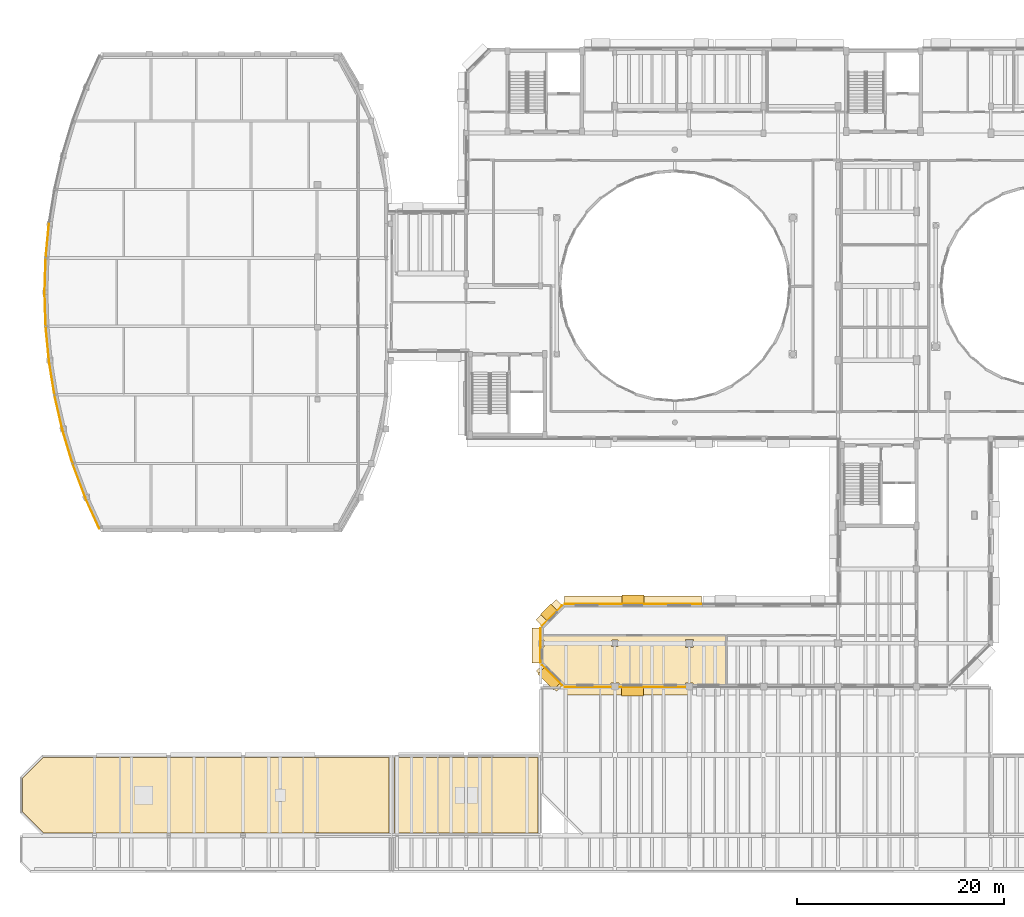
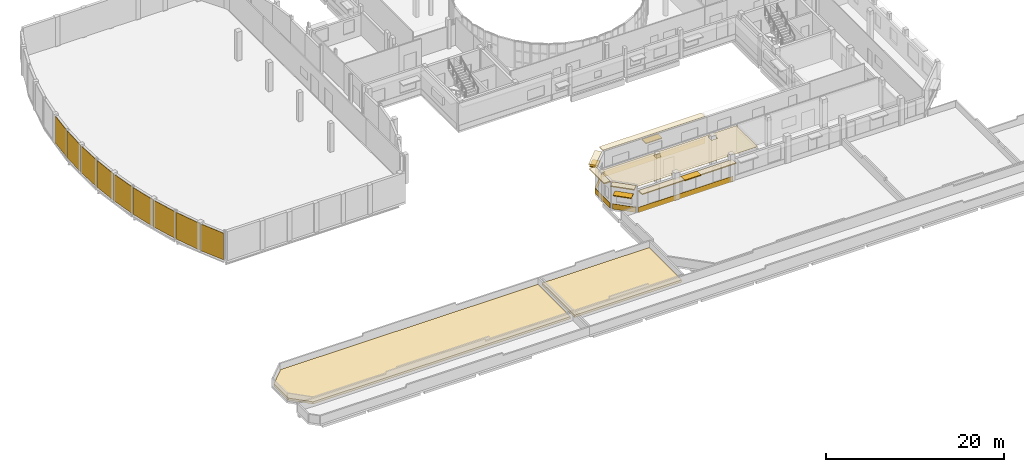
# One storey, part 89 of 105: 22 coverings, 4 shading devices.
"""IFC4 building model written with IfcOpenShell, lengths in metres."""

from ifc_helpers import new_model, si_unit, direction, frame, origin, origin_2d, place, context, subcontext, project, spatial, polyline, rectangle, outline, extrude, material, layer, layer_set, type_object, element, save


model = new_model("IFC4")

# Units and contexts
model_context = context("Model", 3, precision=1e-05, world=origin(), true_north=direction((0.0, 1.0)))
body_context = subcontext(model_context, "Body", "Model", "MODEL_VIEW")
ifc_project = project(units=[si_unit("LENGTHUNIT", "METRE"), si_unit("AREAUNIT", "SQUARE_METRE"), si_unit("VOLUMEUNIT", "CUBIC_METRE"), si_unit("PLANEANGLEUNIT", "RADIAN"), si_unit("MASSUNIT", "GRAM", prefix="KILO")], contexts=[model_context])

# Site, building, storey
site_placement = place(None, origin())
site = spatial("IfcSite", under=ifc_project, at=site_placement, CompositionType="ELEMENT")
building_placement = place(site_placement, origin())
building = spatial("IfcBuilding", under=site, at=building_placement, Name="Kelanivale Promenade Academy", CompositionType="ELEMENT")
storey_placement = place(building_placement, frame((0.0, 0.0, 4.199951171875)))
storey = spatial("IfcBuildingStorey", under=building, at=storey_placement, Name="L01", CompositionType="ELEMENT", Elevation=4.199951171875)

# Coverings
ifc_material_1 = material(Name="Sri Lankan terracotta fluted rainscreen cladding 45 mm", Category="masonry")
ifc_layer_1 = layer(ifc_material_1, 0.044921875)
ifc_layer_set_1 = layer_set([ifc_layer_1], Name="Sri Lankan terracotta fluted rainscreen cladding 45 mm")
covering_type_1 = type_object("IfcCoveringType", Name="COV-CLD1 Sri Lankan terracotta fluted rainscr", PredefinedType="CLADDING", material=ifc_layer_set_1)
covering_1_placement = place(storey_placement, frame((7.02001953125, 34.76904296875, 0.03955078125), z_axis=(0.0, 0.0, 1.0), x_axis=(0.414375580993, -0.910105970685, 0.0)))
element("IfcCovering", 1, at=covering_1_placement, inside=storey, type_object=covering_type_1, Name="Sports Hall Crescent Pavilion fluted terracotta cladding panel", PredefinedType="CLADDING", context=body_context, shape_type="SweptSolid", body=[
    extrude(rectangle(XDim=3.160888671875, YDim=0.044921875, at=origin_2d()), origin(), (0.0, 0.0, 1.0), 3.6650390625),
])
covering_2_placement = place(storey_placement, frame((5.722900390625, 37.912109375, 0.03955078125), z_axis=(0.0, 0.0, 1.0), x_axis=(0.350861216412, -0.936427470132, 0.0)))
element("IfcCovering", 2, at=covering_2_placement, inside=storey, type_object=covering_type_1, Name="Sports Hall Crescent Pavilion fluted terracotta cladding panel", PredefinedType="CLADDING", context=body_context, shape_type="SweptSolid", body=[
    extrude(rectangle(XDim=3.4599609375, YDim=0.044921875, at=origin_2d()), origin(), (0.0, 0.0, 1.0), 3.6650390625),
])
covering_3_placement = place(storey_placement, frame((4.60205078125, 41.237060546875, 0.03955078125), z_axis=(0.0, 0.0, 1.0), x_axis=(0.287026159226, -0.957922744234, 0.0)))
element("IfcCovering", 3, at=covering_3_placement, inside=storey, type_object=covering_type_1, Name="Sports Hall Crescent Pavilion fluted terracotta cladding panel", PredefinedType="CLADDING", context=body_context, shape_type="SweptSolid", body=[
    extrude(rectangle(XDim=3.3798828125, YDim=0.044921875, at=origin_2d()), origin(), (0.0, 0.0, 1.0), 3.6650390625),
])
covering_4_placement = place(storey_placement, frame((3.722900390625, 44.56201171875, 0.03955078125), z_axis=(0.0, 0.0, 1.0), x_axis=(0.223250116011, -0.974761194191, 0.0)))
element("IfcCovering", 4, at=covering_4_placement, inside=storey, type_object=covering_type_1, Name="Sports Hall Crescent Pavilion fluted terracotta cladding panel", PredefinedType="CLADDING", context=body_context, shape_type="SweptSolid", body=[
    extrude(rectangle(XDim=3.320068359375, YDim=0.044921875, at=origin_2d()), origin(), (0.0, 0.0, 1.0), 3.6650390625),
])
covering_5_placement = place(storey_placement, frame((3.073974609375, 47.886962890625, 0.03955078125), z_axis=(0.0, 0.0, 1.0), x_axis=(0.15936430246, -0.987219843349, 0.0)))
element("IfcCovering", 5, at=covering_5_placement, inside=storey, type_object=covering_type_1, Name="Sports Hall Crescent Pavilion fluted terracotta cladding panel", PredefinedType="CLADDING", context=body_context, shape_type="SweptSolid", body=[
    extrude(rectangle(XDim=3.277099609375, YDim=0.044921875, at=origin_2d()), origin(), (0.0, 0.0, 1.0), 3.6650390625),
])
covering_6_placement = place(storey_placement, frame((2.64599609375, 51.2119140625, 0.03955078125), z_axis=(0.0, 0.0, 1.0), x_axis=(0.095498287868, -0.995429594203, 0.0)))
element("IfcCovering", 6, at=covering_6_placement, inside=storey, type_object=covering_type_1, Name="Sports Hall Crescent Pavilion fluted terracotta cladding panel", PredefinedType="CLADDING", context=body_context, shape_type="SweptSolid", body=[
    extrude(rectangle(XDim=3.25, YDim=0.044921875, at=origin_2d()), origin(), (0.0, 0.0, 1.0), 3.6650390625),
])
for number, where, z_axis, x_axis, name in (
    (7, (2.43310546875, 54.5380859375, 0.03955078125), (0.0, 0.0, 1.0), (0.03193409516, -0.999489976721, 0.0), "Sports Hall Crescent Pavilion fluted terracotta cladding panel"),
    (8, (2.43310546875, 57.862060546875, 0.03955078125), (0.0, 0.0, 1.0), (-0.03193409516, -0.999489976721, 0.0), "Sports Hall Crescent Pavilion fluted terracotta cladding panel"),
):
    element("IfcCovering", number, at=place(storey_placement, frame(where, z_axis=z_axis, x_axis=x_axis)), inside=storey, type_object=covering_type_1, Name=name, PredefinedType="CLADDING", context=body_context, shape_type="SweptSolid", body=[
        extrude(rectangle(XDim=3.236083984375, YDim=0.044921875, at=origin_2d()), origin(), (0.0, 0.0, 1.0), 3.6650390625),
    ])
covering_7_placement = place(storey_placement, frame((2.64599609375, 61.18798828125, 0.03955078125), z_axis=(0.0, 0.0, 1.0), x_axis=(-0.095498287868, -0.995429594203, 0.0)))
element("IfcCovering", 9, at=covering_7_placement, inside=storey, type_object=covering_type_1, Name="Sports Hall Crescent Pavilion fluted terracotta cladding panel", PredefinedType="CLADDING", context=body_context, shape_type="SweptSolid", body=[
    extrude(rectangle(XDim=3.25, YDim=0.044921875, at=origin_2d()), origin(), (0.0, 0.0, 1.0), 3.6650390625),
])
ifc_material_2 = material(Name="Warm ivory Art Deco stucco frieze band 40 mm", Category="masonry")
ifc_layer_2 = layer(ifc_material_2, 0.0400390625)
ifc_layer_set_2 = layer_set([ifc_layer_2], Name="Warm ivory Art Deco stucco frieze band 40 mm")
covering_type_2 = type_object("IfcCoveringType", Name="COV-CLD2 Warm ivory Art Deco stucco frieze ba", PredefinedType="CLADDING", material=ifc_layer_set_2)
covering_8_placement = place(storey_placement, frame((51.237060546875, 18.8369140625, 3.6201171875), z_axis=(0.0, 0.0, 1.0), x_axis=(0.707106781187, -0.707106781187, 0.0)))
element("IfcCovering", 10, at=covering_8_placement, inside=storey, type_object=covering_type_2, Name="Art Deco projecting 820 mm streamline sunshade eyebrow ledge", PredefinedType="CLADDING", context=body_context, shape_type="SweptSolid", body=[
    extrude(rectangle(XDim=2.76708984375, YDim=0.820068359375, at=origin_2d()), origin(), (0.0, 0.0, 1.0), 0.139892578125),
])
covering_9_placement = place(storey_placement, frame((51.509033203125, 19.10888671875, 0.06005859375), z_axis=(0.0, 0.0, 1.0), x_axis=(0.707106781187, -0.707106781187, 0.0)))
element("IfcCovering", 11, at=covering_9_placement, inside=storey, type_object=covering_type_2, Name="Art Deco ivory stucco sill frieze band", PredefinedType="CLADDING", context=body_context, shape_type="SweptSolid", body=[
    extrude(rectangle(XDim=2.76708984375, YDim=0.0400390625, at=origin_2d()), origin(), (0.0, 0.0, 1.0), 0.719970703125),
])
covering_10_placement = place(storey_placement, frame((58.843994140625, 17.60009765625, 2.9501953125), z_axis=(0.0, 0.0, 1.0), x_axis=(1.0, 0.0, 0.0)))
element("IfcCovering", 12, at=covering_10_placement, inside=storey, type_object=covering_type_2, Name="Art Deco projecting 820 mm streamline sunshade eyebrow ledge", PredefinedType="CLADDING", context=body_context, shape_type="SweptSolid", body=[
    extrude(rectangle(XDim=12.243896484375, YDim=0.820068359375, at=origin_2d()), origin(), (0.0, 0.0, 1.0), 0.139892578125),
])
covering_11_placement = place(storey_placement, frame((58.843994140625, 17.985107421875, 0.06005859375), z_axis=(0.0, 0.0, 1.0), x_axis=(1.0, 0.0, 0.0)))
element("IfcCovering", 13, at=covering_11_placement, inside=storey, type_object=covering_type_2, Name="Art Deco ivory stucco sill frieze band", PredefinedType="CLADDING", context=body_context, shape_type="SweptSolid", body=[
    extrude(rectangle(XDim=12.243896484375, YDim=0.0400390625, at=origin_2d()), origin(), (0.0, 0.0, 1.0), 0.719970703125),
])
covering_12_placement = place(storey_placement, frame((59.35205078125, 26.39990234375, 3.6201171875), z_axis=(0.0, 0.0, 1.0), x_axis=(-1.0, 0.0, 0.0)))
element("IfcCovering", 14, at=covering_12_placement, inside=storey, type_object=covering_type_2, Name="Art Deco projecting 820 mm streamline sunshade eyebrow ledge", PredefinedType="CLADDING", context=body_context, shape_type="SweptSolid", body=[
    extrude(rectangle(XDim=13.259033203125, YDim=0.820068359375, at=origin_2d()), origin(), (0.0, 0.0, 1.0), 0.139892578125),
])
covering_13_placement = place(storey_placement, frame((59.35205078125, 26.014892578125, 0.06005859375), z_axis=(0.0, 0.0, 1.0), x_axis=(-1.0, 0.0, 0.0)))
element("IfcCovering", 15, at=covering_13_placement, inside=storey, type_object=covering_type_2, Name="Art Deco ivory stucco sill frieze band", PredefinedType="CLADDING", context=body_context, shape_type="SweptSolid", body=[
    extrude(rectangle(XDim=13.259033203125, YDim=0.0400390625, at=origin_2d()), origin(), (0.0, 0.0, 1.0), 0.719970703125),
])
covering_14_placement = place(storey_placement, frame((51.237060546875, 25.1630859375, 3.6201171875), z_axis=(0.0, 0.0, 1.0), x_axis=(-0.707106781187, -0.707106781187, 0.0)))
element("IfcCovering", 16, at=covering_14_placement, inside=storey, type_object=covering_type_2, Name="Art Deco projecting 820 mm streamline sunshade eyebrow ledge", PredefinedType="CLADDING", context=body_context, shape_type="SweptSolid", body=[
    extrude(rectangle(XDim=2.76708984375, YDim=0.820068359375, at=origin_2d()), origin(), (0.0, 0.0, 1.0), 0.139892578125),
])
covering_15_placement = place(storey_placement, frame((51.509033203125, 24.89111328125, 0.06005859375), z_axis=(0.0, 0.0, 1.0), x_axis=(-0.707106781187, -0.707106781187, 0.0)))
element("IfcCovering", 17, at=covering_15_placement, inside=storey, type_object=covering_type_2, Name="Art Deco ivory stucco sill frieze band", PredefinedType="CLADDING", context=body_context, shape_type="SweptSolid", body=[
    extrude(rectangle(XDim=2.76708984375, YDim=0.0400390625, at=origin_2d()), origin(), (0.0, 0.0, 1.0), 0.719970703125),
])
covering_16_placement = place(storey_placement, frame((50.0, 22.0, 3.6201171875), z_axis=(0.0, 0.0, 1.0), x_axis=(0.0, -1.0, 0.0)))
element("IfcCovering", 18, at=covering_16_placement, inside=storey, type_object=covering_type_2, Name="Art Deco projecting 820 mm streamline sunshade eyebrow ledge", PredefinedType="CLADDING", context=body_context, shape_type="SweptSolid", body=[
    extrude(rectangle(XDim=3.35595703125, YDim=0.820068359375, at=origin_2d()), origin(), (0.0, 0.0, 1.0), 0.139892578125),
])
covering_17_placement = place(storey_placement, frame((50.385009765625, 22.0, 0.06005859375), z_axis=(0.0, 0.0, 1.0), x_axis=(0.0, -1.0, 0.0)))
element("IfcCovering", 19, at=covering_17_placement, inside=storey, type_object=covering_type_2, Name="Art Deco ivory stucco sill frieze band", PredefinedType="CLADDING", context=body_context, shape_type="SweptSolid", body=[
    extrude(rectangle(XDim=3.35595703125, YDim=0.0400390625, at=origin_2d()), origin(), (0.0, 0.0, 1.0), 0.719970703125),
])
ifc_material_3 = material(Name="Acoustic mineral-fibre ceiling tile 25 mm", Category="gypsum")
ifc_layer_3 = layer(ifc_material_3, 0.02490234375)
ifc_layer_set_3 = layer_set([ifc_layer_3], Name="Acoustic mineral-fibre ceiling tile 25 mm")
covering_type_3 = type_object("IfcCoveringType", Name="COV-CLG1 Acoustic mineral-fibre ceiling tile ", PredefinedType="CEILING", material=ifc_layer_set_3)
covering_18_placement = place(storey_placement, frame((0.0, 0.0, 3.550048828125)))
element("IfcCovering", 20, at=covering_18_placement, inside=storey, type_object=covering_type_3, Name="Culinary Teaching Studio acoustic suspended ceiling", PredefinedType="CEILING", context=body_context, shape_type="SweptSolid", body=[
    extrude(outline(polyline([(50.550048828125, 22.889892578125), (50.550048828125, 22.56005859375), (50.669921875, 22.56005859375), (50.674072265625, 22.56005859375), (50.677978515625, 22.55908203125), (50.681884765625, 22.55810546875), (50.68505859375, 22.556884765625), (50.68896484375, 22.554931640625), (50.69189453125, 22.552978515625), (50.695068359375, 22.551025390625), (50.697998046875, 22.548095703125), (50.700927734375, 22.544921875), (50.702880859375, 22.5419921875), (50.705078125, 22.5390625), (50.70703125, 22.534912109375), (50.7080078125, 22.531982421875), (50.708984375, 22.528076171875), (50.7099609375, 22.52392578125), (50.7099609375, 22.52001953125), (50.7099609375, 21.8798828125), (50.7099609375, 21.8759765625), (50.708984375, 21.8720703125), (50.7080078125, 21.867919921875), (50.70703125, 21.864990234375), (50.705078125, 21.861083984375), (50.702880859375, 21.85791015625), (50.700927734375, 21.85498046875), (50.697998046875, 21.85205078125), (50.695068359375, 21.84912109375), (50.69189453125, 21.846923828125), (50.68896484375, 21.844970703125), (50.68505859375, 21.843017578125), (50.681884765625, 21.842041015625), (50.677978515625, 21.841064453125), (50.674072265625, 21.840087890625), (50.669921875, 21.840087890625), (50.550048828125, 21.840087890625), (50.550048828125, 20.302001953125), (52.701904296875, 18.14990234375), (57.215087890625, 18.14990234375), (57.215087890625, 18.344970703125), (57.215087890625, 18.34912109375), (57.216064453125, 18.35302734375), (57.217041015625, 18.35693359375), (57.218017578125, 18.360107421875), (57.219970703125, 18.364013671875), (57.221923828125, 18.366943359375), (57.22412109375, 18.3701171875), (57.22705078125, 18.373046875), (57.22998046875, 18.3759765625), (57.23291015625, 18.3779296875), (57.236083984375, 18.3798828125), (57.239990234375, 18.382080078125), (57.242919921875, 18.383056640625), (57.2470703125, 18.384033203125), (57.2509765625, 18.385009765625), (57.2548828125, 18.385009765625), (57.945068359375, 18.385009765625), (57.948974609375, 18.385009765625), (57.952880859375, 18.384033203125), (57.95703125, 18.383056640625), (57.9599609375, 18.382080078125), (57.964111328125, 18.3798828125), (57.967041015625, 18.3779296875), (57.969970703125, 18.3759765625), (57.972900390625, 18.373046875), (57.97607421875, 18.3701171875), (57.97802734375, 18.366943359375), (57.97998046875, 18.364013671875), (57.98193359375, 18.360107421875), (57.98291015625, 18.35693359375), (57.98388671875, 18.35302734375), (57.985107421875, 18.34912109375), (57.985107421875, 18.344970703125), (57.985107421875, 18.14990234375), (64.43994140625, 18.14990234375), (64.43994140625, 18.320068359375), (64.43994140625, 18.323974609375), (64.44091796875, 18.327880859375), (64.44189453125, 18.33203125), (64.443115234375, 18.3349609375), (64.445068359375, 18.339111328125), (64.447021484375, 18.342041015625), (64.448974609375, 18.344970703125), (64.451904296875, 18.347900390625), (64.455078125, 18.35107421875), (64.4580078125, 18.35302734375), (64.4609375, 18.35498046875), (64.465087890625, 18.35693359375), (64.468017578125, 18.35791015625), (64.471923828125, 18.35888671875), (64.47607421875, 18.360107421875), (64.47998046875, 18.360107421875), (65.1201171875, 18.360107421875), (65.1240234375, 18.360107421875), (65.1279296875, 18.35888671875), (65.132080078125, 18.35791015625), (65.135009765625, 18.35693359375), (65.138916015625, 18.35498046875), (65.14208984375, 18.35302734375), (65.14501953125, 18.35107421875), (65.14794921875, 18.347900390625), (65.15087890625, 18.344970703125), (65.153076171875, 18.342041015625), (65.155029296875, 18.339111328125), (65.156982421875, 18.3349609375), (65.157958984375, 18.33203125), (65.158935546875, 18.327880859375), (65.159912109375, 18.323974609375), (65.159912109375, 18.320068359375), (65.159912109375, 18.14990234375), (68.2900390625, 18.14990234375), (68.2900390625, 22.889892578125), (50.550048828125, 22.889892578125)]), holes=[polyline([(65.18505859375, 21.85498046875), (65.18505859375, 21.85107421875), (65.18408203125, 21.846923828125), (65.18310546875, 21.843017578125), (65.181884765625, 21.840087890625), (65.179931640625, 21.8359375), (65.177978515625, 21.8330078125), (65.176025390625, 21.830078125), (65.173095703125, 21.826904296875), (65.169921875, 21.823974609375), (65.1669921875, 21.822021484375), (65.1640625, 21.820068359375), (65.159912109375, 21.818115234375), (65.156982421875, 21.81689453125), (65.153076171875, 21.81591796875), (65.14892578125, 21.81494140625), (65.14501953125, 21.81494140625), (64.455078125, 21.81494140625), (64.450927734375, 21.81494140625), (64.447021484375, 21.81591796875), (64.443115234375, 21.81689453125), (64.43994140625, 21.818115234375), (64.43603515625, 21.820068359375), (64.43310546875, 21.822021484375), (64.429931640625, 21.823974609375), (64.427001953125, 21.826904296875), (64.424072265625, 21.830078125), (64.422119140625, 21.8330078125), (64.419921875, 21.8359375), (64.41796875, 21.840087890625), (64.4169921875, 21.843017578125), (64.416015625, 21.846923828125), (64.4150390625, 21.85107421875), (64.4150390625, 21.85498046875), (64.4150390625, 22.544921875), (64.4150390625, 22.549072265625), (64.416015625, 22.552978515625), (64.4169921875, 22.556884765625), (64.41796875, 22.56005859375), (64.419921875, 22.56396484375), (64.422119140625, 22.56689453125), (64.424072265625, 22.570068359375), (64.427001953125, 22.572998046875), (64.429931640625, 22.575927734375), (64.43310546875, 22.577880859375), (64.43603515625, 22.580078125), (64.43994140625, 22.58203125), (64.443115234375, 22.5830078125), (64.447021484375, 22.583984375), (64.450927734375, 22.5849609375), (64.455078125, 22.5849609375), (65.14501953125, 22.5849609375), (65.14892578125, 22.5849609375), (65.153076171875, 22.583984375), (65.156982421875, 22.5830078125), (65.159912109375, 22.58203125), (65.1640625, 22.580078125), (65.1669921875, 22.577880859375), (65.169921875, 22.575927734375), (65.173095703125, 22.572998046875), (65.176025390625, 22.570068359375), (65.177978515625, 22.56689453125), (65.179931640625, 22.56396484375), (65.181884765625, 22.56005859375), (65.18310546875, 22.556884765625), (65.18408203125, 22.552978515625), (65.18505859375, 22.549072265625), (65.18505859375, 22.544921875), (65.18505859375, 21.85498046875)]), polyline([(57.909912109375, 21.929931640625), (57.909912109375, 21.926025390625), (57.908935546875, 21.922119140625), (57.907958984375, 21.91796875), (57.906982421875, 21.9150390625), (57.905029296875, 21.910888671875), (57.903076171875, 21.907958984375), (57.90087890625, 21.905029296875), (57.89794921875, 21.902099609375), (57.89501953125, 21.89892578125), (57.89208984375, 21.89697265625), (57.888916015625, 21.89501953125), (57.885009765625, 21.89306640625), (57.882080078125, 21.89208984375), (57.8779296875, 21.89111328125), (57.8740234375, 21.889892578125), (57.8701171875, 21.889892578125), (57.330078125, 21.889892578125), (57.325927734375, 21.889892578125), (57.322021484375, 21.89111328125), (57.318115234375, 21.89208984375), (57.31494140625, 21.89306640625), (57.31103515625, 21.89501953125), (57.30810546875, 21.89697265625), (57.304931640625, 21.89892578125), (57.302001953125, 21.902099609375), (57.299072265625, 21.905029296875), (57.297119140625, 21.907958984375), (57.294921875, 21.910888671875), (57.29296875, 21.9150390625), (57.2919921875, 21.91796875), (57.291015625, 21.922119140625), (57.2900390625, 21.926025390625), (57.2900390625, 21.929931640625), (57.2900390625, 22.469970703125), (57.2900390625, 22.47412109375), (57.291015625, 22.47802734375), (57.2919921875, 22.48193359375), (57.29296875, 22.485107421875), (57.294921875, 22.489013671875), (57.297119140625, 22.491943359375), (57.299072265625, 22.4951171875), (57.302001953125, 22.498046875), (57.304931640625, 22.5009765625), (57.30810546875, 22.5029296875), (57.31103515625, 22.5048828125), (57.31494140625, 22.507080078125), (57.318115234375, 22.508056640625), (57.322021484375, 22.509033203125), (57.325927734375, 22.510009765625), (57.330078125, 22.510009765625), (57.8701171875, 22.510009765625), (57.8740234375, 22.510009765625), (57.8779296875, 22.509033203125), (57.882080078125, 22.508056640625), (57.885009765625, 22.507080078125), (57.888916015625, 22.5048828125), (57.89208984375, 22.5029296875), (57.89501953125, 22.5009765625), (57.89794921875, 22.498046875), (57.90087890625, 22.4951171875), (57.903076171875, 22.491943359375), (57.905029296875, 22.489013671875), (57.906982421875, 22.485107421875), (57.907958984375, 22.48193359375), (57.908935546875, 22.47802734375), (57.909912109375, 22.47412109375), (57.909912109375, 22.469970703125), (57.909912109375, 21.929931640625)])]), origin(), (0.0, 0.0, 1.0), 0.02490234375),
])
ifc_material_4 = material(Name="Extensive tropical planted green-roof substrate 300 mm", Category="masonry")
ifc_layer_4 = layer(ifc_material_4, 0.300048828125)
ifc_layer_set_4 = layer_set([ifc_layer_4], Name="Extensive tropical planted green-roof substrate 300 mm")
covering_type_4 = type_object("IfcCoveringType", Name="COV-RFG2 Extensive tropical planted green-roo", PredefinedType="ROOFING", material=ifc_layer_set_4)
covering_19_placement = place(storey_placement, origin())
element("IfcCovering", 21, at=covering_19_placement, inside=storey, type_object=covering_type_4, Name="L01 planted green-roof substrate", PredefinedType="ROOFING", context=body_context, shape_type="SweptSolid", body=[
    extrude(outline(polyline([(2.282958984375, 3.840087890625), (35.7099609375, 3.840087890625), (35.7099609375, 11.159912109375), (2.282958984375, 11.159912109375), (0.239990234375, 9.116943359375), (0.239990234375, 5.883056640625), (2.282958984375, 3.840087890625)])), origin(), (0.0, 0.0, 1.0), 0.300048828125),
])
covering_20_placement = place(storey_placement, origin())
element("IfcCovering", 22, at=covering_20_placement, inside=storey, type_object=covering_type_4, Name="L01 planted green-roof substrate", PredefinedType="ROOFING", context=body_context, shape_type="SweptSolid", body=[
    extrude(outline(polyline([(36.239990234375, 11.159912109375), (36.239990234375, 3.840087890625), (50.159912109375, 3.840087890625), (50.159912109375, 11.159912109375), (36.239990234375, 11.159912109375)])), origin(), (0.0, 0.0, 1.0), 0.300048828125),
])

# Shading devices
ifc_material_5 = material(Name="Precast concrete C40/50", Category="concrete")
ifc_layer_5 = layer(ifc_material_5, 0.1201171875)
ifc_layer_set_5 = layer_set([ifc_layer_5], Name="Precast concrete C40/50")
shading_device_type = type_object("IfcShadingDeviceType", Name="SHD-01 Art Deco Sunshade Eyebrow 900mm", PredefinedType="USERDEFINED", material=ifc_layer_set_5)
shading_device_1_placement = place(storey_placement, frame((51.208984375, 18.80908203125, 2.4599609375), z_axis=(0.0, 0.0, 1.0), x_axis=(0.707106781187, -0.707106781187, 0.0)))
element("IfcShadingDevice", 23, at=shading_device_1_placement, inside=storey, type_object=shading_device_type, Name="Art Deco 900 mm precast chajja window sunshade", ObjectType="SUNSHADE", PredefinedType="USERDEFINED", context=body_context, shape_type="SweptSolid", body=[
    extrude(rectangle(XDim=2.14990234375, YDim=0.89990234375, at=origin_2d()), origin(), (0.0, 0.0, 1.0), 0.1201171875),
])
for number, where, z_axis, x_axis, name in (
    (24, (59.2939453125, 17.56005859375, 2.97998046875), (0.0, 0.0, 1.0), (1.0, 0.0, 0.0), "Art Deco 900 mm precast chajja window sunshade"),
    (25, (59.35107421875, 26.43994140625, 2.659912109375), (0.0, 0.0, 1.0), (-1.0, 0.0, 0.0), "Art Deco 900 mm precast chajja window sunshade"),
):
    element("IfcShadingDevice", number, at=place(storey_placement, frame(where, z_axis=z_axis, x_axis=x_axis)), inside=storey, type_object=shading_device_type, Name=name, ObjectType="SUNSHADE", PredefinedType="USERDEFINED", context=body_context, shape_type="SweptSolid", body=[
        extrude(rectangle(XDim=2.10009765625, YDim=0.89990234375, at=origin_2d()), origin(), (0.0, 0.0, 1.0), 0.1201171875),
    ])
shading_device_2_placement = place(storey_placement, frame((51.208984375, 25.19091796875, 2.860107421875), z_axis=(0.0, 0.0, 1.0), x_axis=(-0.707106781187, -0.707106781187, 0.0)))
element("IfcShadingDevice", 26, at=shading_device_2_placement, inside=storey, type_object=shading_device_type, Name="Art Deco 900 mm precast chajja window sunshade", ObjectType="SUNSHADE", PredefinedType="USERDEFINED", context=body_context, shape_type="SweptSolid", body=[
    extrude(rectangle(XDim=1.39990234375, YDim=0.89990234375, at=origin_2d()), origin(), (0.0, 0.0, 1.0), 0.1201171875),
])

save(model, "model.ifc")
